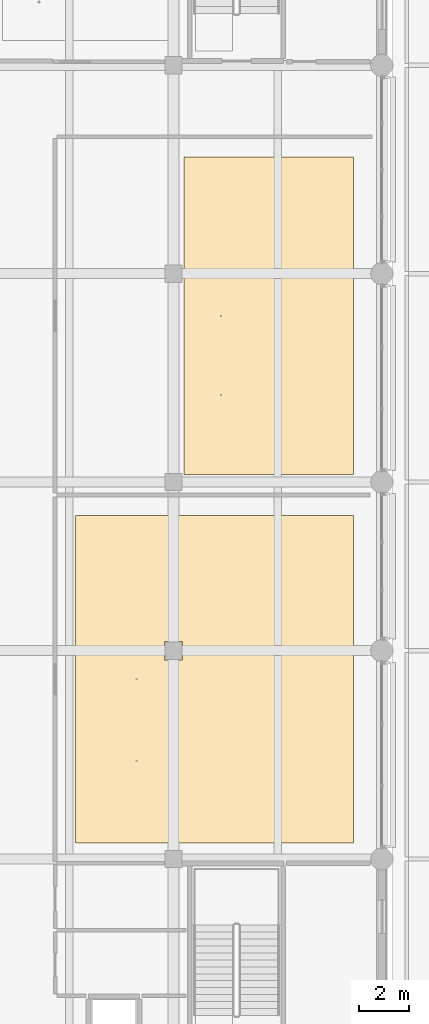
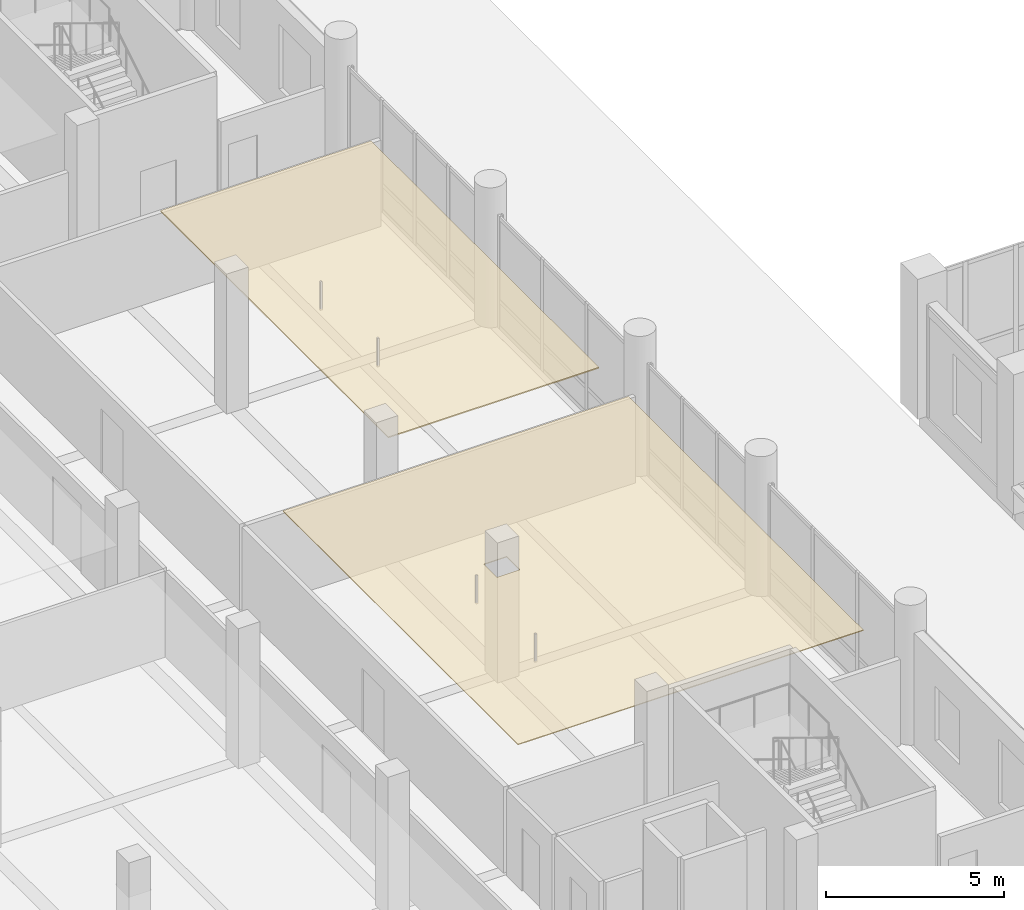
# One storey, part 97 of 128: 2 coverings.
"""IFC4 building model written with IfcOpenShell, lengths in metres."""

from ifc_helpers import new_model, si_unit, direction, frame, origin, place, context, subcontext, project, spatial, polyline, outline, extrude, material, layer, layer_set, type_object, element, save


model = new_model("IFC4")

# Units and contexts
model_context = context("Model", 3, precision=1e-05, world=origin(), true_north=direction((0.0, 1.0)))
body_context = subcontext(model_context, "Body", "Model", "MODEL_VIEW")
ifc_project = project(units=[si_unit("LENGTHUNIT", "METRE"), si_unit("AREAUNIT", "SQUARE_METRE"), si_unit("VOLUMEUNIT", "CUBIC_METRE"), si_unit("PLANEANGLEUNIT", "RADIAN"), si_unit("MASSUNIT", "GRAM", prefix="KILO")], contexts=[model_context])

# Site, building, storey
site_placement = place(None, origin())
site = spatial("IfcSite", under=ifc_project, at=site_placement, CompositionType="ELEMENT")
building_placement = place(site_placement, origin())
building = spatial("IfcBuilding", under=site, at=building_placement, Name="Telukmera Botanical Conservatory", CompositionType="ELEMENT")
storey_placement = place(building_placement, frame((0.0, 0.0, 5.39990234375)))
storey = spatial("IfcBuildingStorey", under=building, at=storey_placement, Name="L01", CompositionType="ELEMENT", Elevation=5.39990234375)

# Coverings
ifc_material_1 = material(Name="Mineral fibre acoustic ceiling")
ifc_layer_1 = layer(ifc_material_1, 0.030029296875)
ifc_layer_set_1 = layer_set([ifc_layer_1], Name="Mineral fibre acoustic ceiling")
covering_type_1 = type_object("IfcCoveringType", Name="COV-CEIL-30", PredefinedType="CEILING", material=ifc_layer_set_1)
covering_1_placement = place(storey_placement, frame((0.0, 0.0, 3.6201171875)))
element("IfcCovering", 1, at=covering_1_placement, inside=storey, type_object=covering_type_1, Name="L01 Education Classroom Suspended Acoustic Ceiling", PredefinedType="CEILING", context=body_context, shape_type="SweptSolid", body=[
    extrude(outline(polyline([(29.64990234375, 35.050048828125), (40.85009765625, 35.050048828125), (40.85009765625, 48.25), (29.64990234375, 48.25), (29.64990234375, 35.050048828125)]), holes=[polyline([(33.22998046875, 42.429931640625), (33.969970703125, 42.429931640625), (33.969970703125, 43.169921875), (33.22998046875, 43.169921875), (33.22998046875, 42.429931640625)])]), origin(), (0.0, 0.0, 1.0), 0.030029296875),
])
ifc_material_2 = material(Name="Perforated gypsum acoustic ceiling")
ifc_layer_2 = layer(ifc_material_2, 0.0400390625)
ifc_layer_set_2 = layer_set([ifc_layer_2], Name="Perforated gypsum acoustic ceiling")
covering_type_2 = type_object("IfcCoveringType", Name="COV-CEIL-40", PredefinedType="CEILING", material=ifc_layer_set_2)
covering_2_placement = place(storey_placement, frame((0.0, 0.0, 3.610107421875)))
element("IfcCovering", 2, at=covering_2_placement, inside=storey, type_object=covering_type_2, Name="L01 Botanical Teaching Studio Suspended Acoustic Ceiling", PredefinedType="CEILING", context=body_context, shape_type="SweptSolid", body=[
    extrude(outline(polyline([(34.02001953125, 49.89990234375), (40.85009765625, 49.89990234375), (40.85009765625, 62.699951171875), (34.02001953125, 62.699951171875), (34.02001953125, 49.89990234375)])), origin(), (0.0, 0.0, 1.0), 0.0400390625),
])

save(model, "model.ifc")
